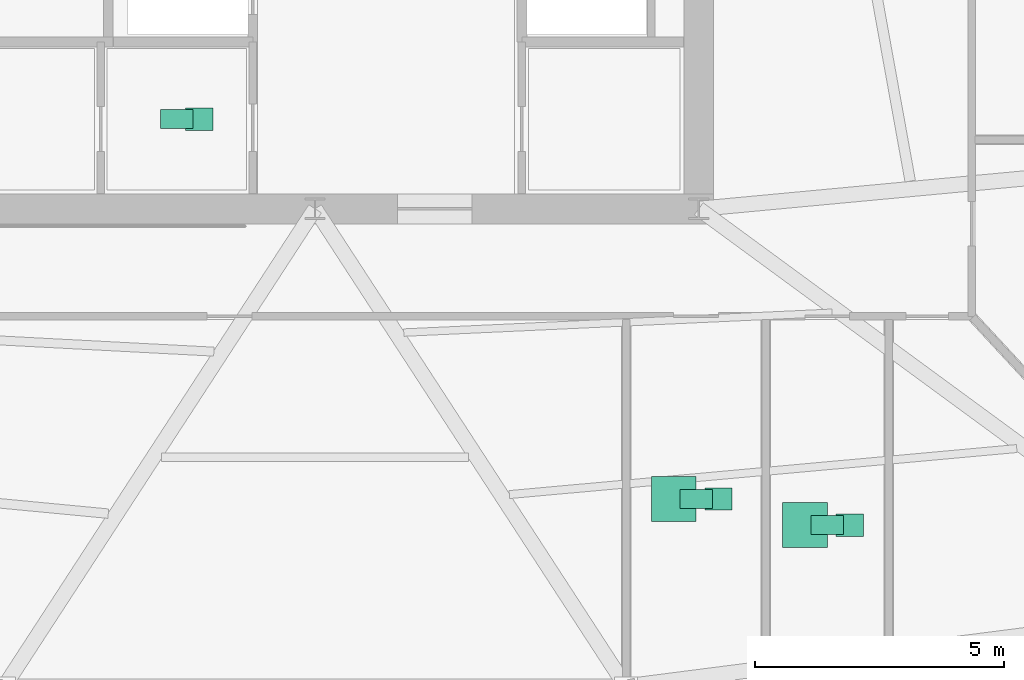
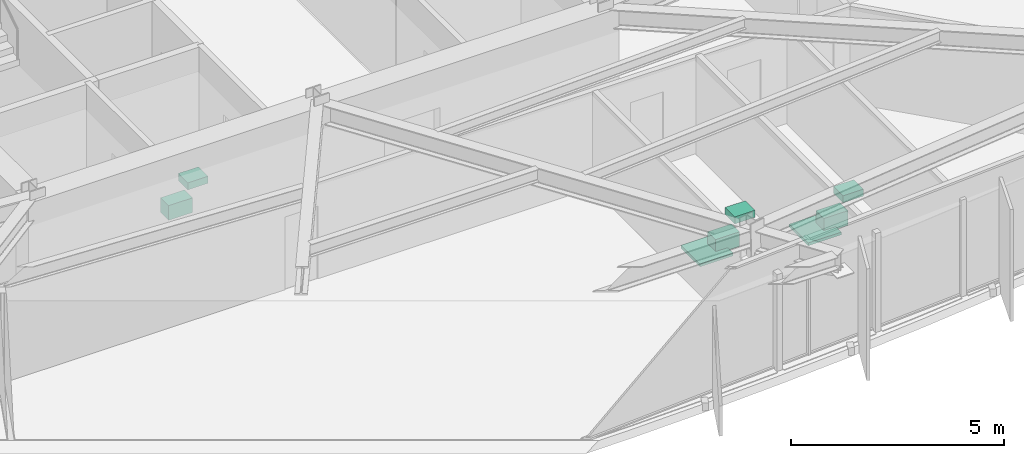
# One storey, part 15 of 15: 8 sanitary terminals.
"""IFC4 building model written with IfcOpenShell, lengths in metres."""

from ifc_helpers import new_model, si_unit, direction, frame, origin, origin_2d, place, context, subcontext, project, spatial, rectangle, extrude, material, type_object, element, save


model = new_model("IFC4")

# Units and contexts
model_context = context("Model", 3, precision=1e-05, world=origin(), true_north=direction((0.0, 1.0)))
body_context = subcontext(model_context, "Body", "Model", "MODEL_VIEW")
ifc_project = project(units=[si_unit("LENGTHUNIT", "METRE"), si_unit("AREAUNIT", "SQUARE_METRE"), si_unit("VOLUMEUNIT", "CUBIC_METRE"), si_unit("PLANEANGLEUNIT", "RADIAN"), si_unit("MASSUNIT", "GRAM", prefix="KILO")], contexts=[model_context])

# Site, building, storey
site_placement = place(None, origin())
site = spatial("IfcSite", under=ifc_project, at=site_placement, CompositionType="ELEMENT")
building_placement = place(site_placement, origin())
building = spatial("IfcBuilding", under=site, at=building_placement, Name="Savorim Split Tower", CompositionType="ELEMENT")
storey_placement = place(building_placement, frame((0.0, 0.0, 111.300048828125)))
storey = spatial("IfcBuildingStorey", under=building, at=storey_placement, Name="L29", CompositionType="ELEMENT", Elevation=111.300048828125)

# Sanitary terminals
ifc_material = material(Name="Vitreous China Sanitaryware")
sanitary_terminal_type_1 = type_object("IfcSanitaryTerminalType", Name="SAN-SHW-900", PredefinedType="SHOWER", material=ifc_material)
for number, where, z_axis, x_axis, name in (
    (1, (7.19677734375, -15.223388671875, 0.0), (0.0, 0.0, 1.0), (1.0, 0.0, 0.0), "L29 Shared Bathroom Shower"),
    (2, (9.829345703125, -15.74658203125, 0.0), (0.0, 0.0, 1.0), (1.0, 0.0, 0.0), "L29 Shared Bathroom Shower"),
):
    element("IfcSanitaryTerminal", number, at=place(storey_placement, frame(where, z_axis=z_axis, x_axis=x_axis)), inside=storey, type_object=sanitary_terminal_type_1, Name=name, PredefinedType="SHOWER", context=body_context, shape_type="SweptSolid", body=[
        extrude(rectangle(XDim=0.89990234375, YDim=0.89990234375, at=origin_2d()), origin(), (0.0, 0.0, 1.0), 0.080078125),
    ])
sanitary_terminal_type_2 = type_object("IfcSanitaryTerminalType", Name="SAN-WC-PAN", PredefinedType="TOILETPAN", material=ifc_material)
for number, where, z_axis, x_axis, name in (
    (3, (-2.77490234375, -7.60009765625, 0.0), (0.0, 0.0, 1.0), (1.0, 0.0, 0.0), "L29 Accessible WC WC Pan"),
    (4, (7.646728515625, -15.223388671875, 0.0), (0.0, 0.0, 1.0), (1.0, 0.0, 0.0), "L29 Shared Bathroom WC Pan"),
    (5, (10.279296875, -15.74658203125, 0.0), (0.0, 0.0, 1.0), (1.0, 0.0, 0.0), "L29 Shared Bathroom WC Pan"),
):
    element("IfcSanitaryTerminal", number, at=place(storey_placement, frame(where, z_axis=z_axis, x_axis=x_axis)), inside=storey, type_object=sanitary_terminal_type_2, Name=name, PredefinedType="TOILETPAN", context=body_context, shape_type="SweptSolid", body=[
        extrude(rectangle(XDim=0.64990234375, YDim=0.3798828125, at=origin_2d()), origin(), (0.0, 0.0, 1.0), 0.419921875),
    ])
sanitary_terminal_type_3 = type_object("IfcSanitaryTerminalType", Name="SAN-WHB-550", PredefinedType="WASHHANDBASIN", material=ifc_material)
for number, where, z_axis, x_axis, name in (
    (6, (-2.324951171875, -7.60009765625, 0.72021484375), (0.0, 0.0, 1.0), (1.0, 0.0, 0.0), "L29 Accessible WC Washhand Basin"),
    (7, (8.0966796875, -15.223388671875, 0.72021484375), (0.0, 0.0, 1.0), (1.0, 0.0, 0.0), "L29 Shared Bathroom Washhand Basin"),
    (8, (10.7294921875, -15.74658203125, 0.72021484375), (0.0, 0.0, 1.0), (1.0, 0.0, 0.0), "L29 Shared Bathroom Washhand Basin"),
):
    element("IfcSanitaryTerminal", number, at=place(storey_placement, frame(where, z_axis=z_axis, x_axis=x_axis)), inside=storey, type_object=sanitary_terminal_type_3, Name=name, PredefinedType="WASHHANDBASIN", context=body_context, shape_type="SweptSolid", body=[
        extrude(rectangle(XDim=0.550048828125, YDim=0.449951171875, at=origin_2d()), origin(), (0.0, 0.0, 1.0), 0.199951171875),
    ])

save(model, "model.ifc")
